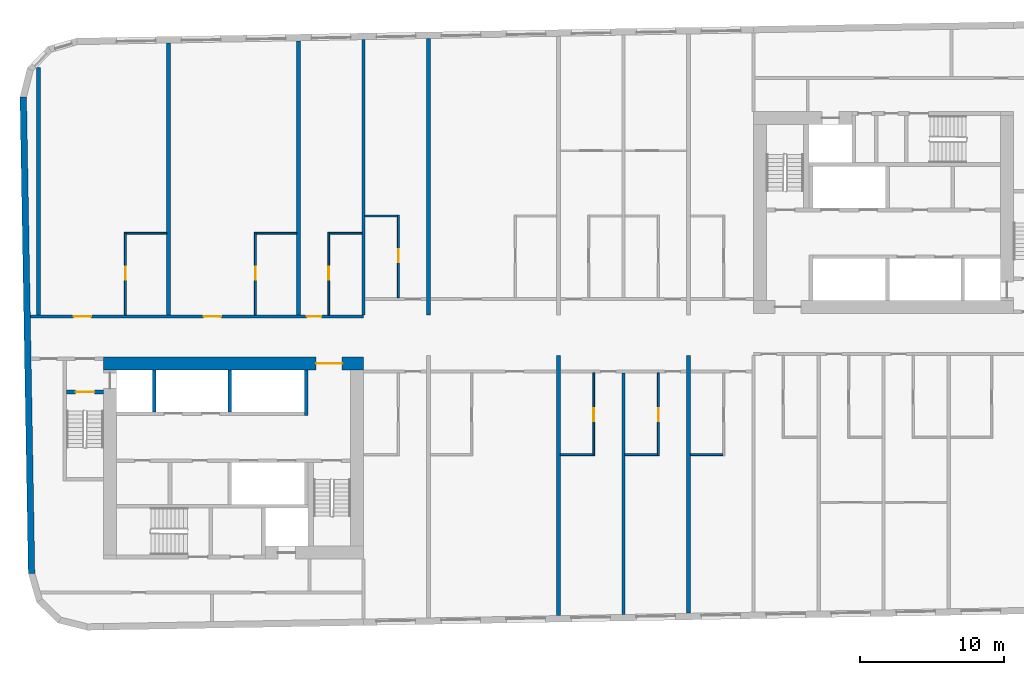
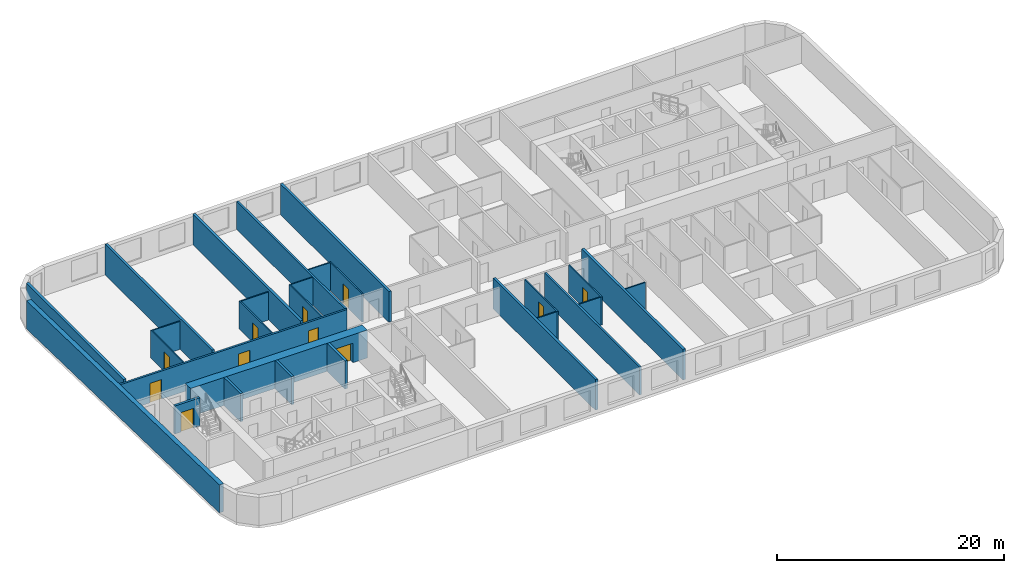
# One storey, part 3 of 12: 28 walls, 11 doors, 11 openings.
"""IFC4 building model written with IfcOpenShell, lengths in metres."""

from ifc_helpers import new_model, si_unit, direction, frame, frame_2d, origin, place, context, subcontext, project, spatial, rectangle, extrude, material, layer, layer_set, type_object, element, fill, save


model = new_model("IFC4")

# Units and contexts
model_context = context("Model", 3, precision=1e-05, world=origin(), true_north=direction((0.0, 1.0)))
body_context = subcontext(model_context, "Body", "Model", "MODEL_VIEW")
ifc_project = project(units=[si_unit("LENGTHUNIT", "METRE"), si_unit("AREAUNIT", "SQUARE_METRE"), si_unit("VOLUMEUNIT", "CUBIC_METRE"), si_unit("PLANEANGLEUNIT", "RADIAN"), si_unit("MASSUNIT", "GRAM", prefix="KILO")], contexts=[model_context])

# Site, building, storey
site_placement = place(None, origin())
site = spatial("IfcSite", under=ifc_project, at=site_placement, CompositionType="ELEMENT")
building_placement = place(site_placement, origin())
building = spatial("IfcBuilding", under=site, at=building_placement, Name="Kajstack Hotel Tower", CompositionType="ELEMENT")
storey_placement = place(building_placement, frame((0.0, 0.0, 234.199951171875)))
storey = spatial("IfcBuildingStorey", under=building, at=storey_placement, Name="L57", CompositionType="ELEMENT", Elevation=234.199951171875)

# Wall, opening, door
ifc_material_1 = material(Name="Concrete C60/75", Category="concrete")
ifc_layer_1 = layer(ifc_material_1, 0.89990234375)
ifc_layer_set_1 = layer_set([ifc_layer_1], Name="Core wall 900")
wall_type_1 = type_object("IfcWallType", Name="Core wall 900", PredefinedType="SHEAR", material=ifc_layer_set_1)
wall_1_placement = place(storey_placement, frame((-31.5, -1.949951171875, 0.0), z_axis=(0.0, 0.0, 1.0), x_axis=(1.0, 0.0, 0.0)))
wall_1 = element("IfcWall", 1, at=wall_1_placement, inside=storey, type_object=wall_type_1, Name="Core wall W RN", PredefinedType="SHEAR", context=body_context, shape_type="SweptSolid", body=[
    extrude(rectangle(XDim=18.0, YDim=0.89990234375, at=frame_2d((9.0, 0.0))), origin(), (0.0, 0.0, 1.0), 3.02001953125),
])
opening_1_placement = place(wall_1_placement, frame((14.72509765625, 0.0, 0.0)))
opening_1 = element("IfcOpeningElement", 2, at=opening_1_placement, cuts=wall_1, Name="Opening 57W07", PredefinedType="OPENING", context=body_context, shape_type="SweptSolid", body=[
    extrude(rectangle(XDim=1.800048828125, YDim=2.10009765625, at=frame_2d((0.89990234375, 1.050048828125))), frame((0.0, 0.4599609375, 0.0), z_axis=(0.0, -1.0, 0.0), x_axis=(1.0, 0.0, 0.0)), (0.0, 0.0, 1.0), 0.919921875),
])
ifc_material_2 = material(Name="Glazed steel frame, fire-rated glass", Category="steel")
door_type_1 = type_object("IfcDoorType", Name="Lobby double door 1800", OperationType="DOUBLE_DOOR_DOUBLE_SWING", PredefinedType="DOOR", material=ifc_material_2)
door_1_placement = place(opening_1_placement, origin())
door_1 = element("IfcDoor", 3, at=door_1_placement, inside=storey, type_object=door_type_1, Name="Door 57W07", OperationType="DOUBLE_DOOR_DOUBLE_SWING", OverallHeight=2.10009765625, OverallWidth=1.800048828125, PredefinedType="DOOR", context=body_context, shape_type="SweptSolid", body=[
    extrude(rectangle(XDim=1.800048828125, YDim=2.10009765625, at=frame_2d((0.89990234375, 1.050048828125))), frame((0.0, 0.02490234375, 0.0), z_axis=(0.0, -1.0, 0.0), x_axis=(1.0, 0.0, 0.0)), (0.0, 0.0, 1.0), 0.050048828125),
])
fill(opening_1, door_1)

# Wall, openings, doors
ifc_material_3 = material(Name="Gypsum board on steel studs, mineral wool", Category="steel")
ifc_layer_2 = layer(ifc_material_3, 0.199951171875)
ifc_layer_set_2 = layer_set([ifc_layer_2], Name="Corridor wall 200")
wall_type_2 = type_object("IfcWallType", Name="Corridor wall 200", PredefinedType="PARTITIONING", material=ifc_layer_set_2)
wall_2_placement = place(storey_placement, frame((-36.56591796875, 1.300048828125, 0.0), z_axis=(0.0, 0.0, 1.0), x_axis=(1.0, 0.0, 0.0)))
wall_2 = element("IfcWall", 4, at=wall_2_placement, inside=storey, type_object=wall_type_2, Name="G-wall-L57-003", PredefinedType="PARTITIONING", context=body_context, shape_type="SweptSolid", body=[
    extrude(rectangle(XDim=23.06591796875, YDim=0.199951171875, at=frame_2d((11.532958984375, 0.0))), origin(), (0.0, 0.0, 1.0), 3.02001953125),
])
opening_2_placement = place(wall_2_placement, frame((3.00390625, 0.0, 0.0)))
opening_2 = element("IfcOpeningElement", 5, at=opening_2_placement, cuts=wall_2, Name="Opening 57001", PredefinedType="OPENING", context=body_context, shape_type="SweptSolid", body=[
    extrude(rectangle(XDim=1.199951171875, YDim=2.10009765625, at=frame_2d((0.60009765625, 1.050048828125))), frame((0.0, 0.10986328125, 0.0), z_axis=(0.0, -1.0, 0.0), x_axis=(1.0, 0.0, 0.0)), (0.0, 0.0, 1.0), 0.219970703125),
])
opening_3_placement = place(wall_2_placement, frame((12.00390625, 0.0, 0.0)))
opening_3 = element("IfcOpeningElement", 6, at=opening_3_placement, cuts=wall_2, Name="Opening 57003", PredefinedType="OPENING", context=body_context, shape_type="SweptSolid", body=[
    extrude(rectangle(XDim=1.199951171875, YDim=2.10009765625, at=frame_2d((0.60009765625, 1.050048828125))), frame((0.0, 0.10986328125, 0.0), z_axis=(0.0, -1.0, 0.0), x_axis=(1.0, 0.0, 0.0)), (0.0, 0.0, 1.0), 0.219970703125),
])
opening_4_placement = place(wall_2_placement, frame((19.14111328125, 0.0, 0.0)))
opening_4 = element("IfcOpeningElement", 7, at=opening_4_placement, cuts=wall_2, Name="Opening 57005", PredefinedType="OPENING", context=body_context, shape_type="SweptSolid", body=[
    extrude(rectangle(XDim=1.0, YDim=2.10009765625, at=frame_2d((0.5, 1.050048828125))), frame((0.0, 0.10986328125, 0.0), z_axis=(0.0, -1.0, 0.0), x_axis=(1.0, 0.0, 0.0)), (0.0, 0.0, 1.0), 0.219970703125),
])
ifc_material_4 = material(Name="Oak veneer on timber core, fire-rated leaf", Category="wood")
door_type_2 = type_object("IfcDoorType", Name="Flat entrance door 1000", OperationType="SINGLE_SWING_LEFT", PredefinedType="DOOR", material=ifc_material_4)
door_2_placement = place(opening_4_placement, origin())
door_2 = element("IfcDoor", 8, at=door_2_placement, inside=storey, type_object=door_type_2, Name="G-door-L57-05", OperationType="SINGLE_SWING_RIGHT", OverallHeight=2.10009765625, OverallWidth=1.0, PredefinedType="DOOR", context=body_context, shape_type="SweptSolid", body=[
    extrude(rectangle(XDim=1.0, YDim=2.10009765625, at=frame_2d((0.5, 1.050048828125))), frame((0.0, 0.02490234375, 0.0), z_axis=(0.0, -1.0, 0.0), x_axis=(1.0, 0.0, 0.0)), (0.0, 0.0, 1.0), 0.050048828125),
])
fill(opening_4, door_2)
door_type_3 = type_object("IfcDoorType", Name="Flat entrance door 1200", OperationType="SINGLE_SWING_LEFT", PredefinedType="DOOR", material=ifc_material_4)
door_3_placement = place(opening_2_placement, origin())
door_3 = element("IfcDoor", 9, at=door_3_placement, inside=storey, type_object=door_type_3, Name="G-door-L57-01", OperationType="SINGLE_SWING_RIGHT", OverallHeight=2.10009765625, OverallWidth=1.199951171875, PredefinedType="DOOR", context=body_context, shape_type="SweptSolid", body=[
    extrude(rectangle(XDim=1.199951171875, YDim=2.10009765625, at=frame_2d((0.60009765625, 1.050048828125))), frame((0.0, 0.02490234375, 0.0), z_axis=(0.0, -1.0, 0.0), x_axis=(1.0, 0.0, 0.0)), (0.0, 0.0, 1.0), 0.050048828125),
])
fill(opening_2, door_3)
door_4_placement = place(opening_3_placement, origin())
door_4 = element("IfcDoor", 10, at=door_4_placement, inside=storey, type_object=door_type_3, Name="G-door-L57-03", OperationType="SINGLE_SWING_LEFT", OverallHeight=2.10009765625, OverallWidth=1.199951171875, PredefinedType="DOOR", context=body_context, shape_type="SweptSolid", body=[
    extrude(rectangle(XDim=1.199951171875, YDim=2.10009765625, at=frame_2d((0.60009765625, 1.050048828125))), frame((0.0, 0.02490234375, 0.0), z_axis=(0.0, -1.0, 0.0), x_axis=(1.0, 0.0, 0.0)), (0.0, 0.0, 1.0), 0.050048828125),
])
fill(opening_3, door_4)

# Walls
ifc_material_5 = material(Name="Twin-frame gypsum board on steel studs, mineral wool", Category="steel")
ifc_layer_3 = layer(ifc_material_5, 0.199951171875)
ifc_layer_set_3 = layer_set([ifc_layer_3], Name="Demising wall 200")
wall_type_3 = type_object("IfcWallType", Name="Demising wall 200", PredefinedType="PARTITIONING", material=ifc_layer_set_3)
wall_3_placement = place(storey_placement, frame((-13.5, 1.39990234375, 0.0), z_axis=(0.0, 0.0, 1.0), x_axis=(0.0, 1.0, 0.0)))
element("IfcWall", 11, at=wall_3_placement, inside=storey, type_object=wall_type_3, Name="G-wall-L57-009", PredefinedType="PARTITIONING", context=body_context, shape_type="SweptSolid", body=[
    extrude(rectangle(XDim=19.065185546875, YDim=0.199951171875, at=frame_2d((9.53271484375, 0.0))), origin(), (0.0, 0.0, 1.0), 3.02001953125),
])
wall_4_placement = place(storey_placement, frame((4.5, -19.326904296875, 0.0), z_axis=(0.0, 0.0, 1.0), x_axis=(0.0, 1.0, 0.0)))
element("IfcWall", 12, at=wall_4_placement, inside=storey, type_object=wall_type_3, Name="G-wall-L57-031", PredefinedType="PARTITIONING", context=body_context, shape_type="SweptSolid", body=[
    extrude(rectangle(XDim=16.726806640625, YDim=0.199951171875, at=frame_2d((8.36328125, 0.0))), origin(), (0.0, 0.0, 1.0), 3.02001953125),
])
ifc_material_6 = material(Name="Terracotta-faced brick masonry", Category="masonry")
ifc_layer_4 = layer(ifc_material_6, 0.449951171875)
ifc_layer_set_4 = layer_set([ifc_layer_4], Name="EW-TERRA")
wall_type_4 = type_object("IfcWallType", Name="EW-TERRA", PredefinedType="SOLIDWALL", material=ifc_layer_set_4)
wall_5_placement = place(storey_placement, frame((-37.056884765625, 16.50341796875, 0.0), z_axis=(0.0, 0.0, 1.0), x_axis=(0.017452279857, -0.999847697366, 0.0)))
element("IfcWall", 13, at=wall_5_placement, inside=storey, type_object=wall_type_4, Name="E-wall-L57-00-00", PredefinedType="SOLIDWALL", context=body_context, shape_type="SweptSolid", body=[
    extrude(rectangle(XDim=33.000244140625, YDim=0.449951171875, at=frame_2d((16.5, 0.0))), origin(), (0.0, 0.0, 1.0), 3.02001953125),
])

# Wall, opening, door
ifc_material_7 = material(Name="Gypsum board and tiled backer on steel studs", Category="steel")
ifc_layer_5 = layer(ifc_material_7, 0.125)
ifc_layer_set_5 = layer_set([ifc_layer_5], Name="En-suite wall 125")
wall_type_5 = type_object("IfcWallType", Name="En-suite wall 125", PredefinedType="PARTITIONING", material=ifc_layer_set_5)
wall_6_placement = place(storey_placement, frame((-29.988037109375, 1.39990234375, 0.0), z_axis=(0.0, 0.0, 1.0), x_axis=(0.0, 1.0, 0.0)))
wall_6 = element("IfcWall", 14, at=wall_6_placement, inside=storey, type_object=wall_type_5, Name="G-wall-L57-005", PredefinedType="PARTITIONING", context=body_context, shape_type="SweptSolid", body=[
    extrude(rectangle(XDim=5.72509765625, YDim=0.125, at=frame_2d((2.862548828125, 0.0))), origin(), (0.0, 0.0, 1.0), 3.02001953125),
])
opening_5_placement = place(wall_6_placement, frame((2.449951171875, 0.0, 0.0)))
opening_5 = element("IfcOpeningElement", 15, at=opening_5_placement, cuts=wall_6, Name="Opening 57002", PredefinedType="OPENING", context=body_context, shape_type="SweptSolid", body=[
    extrude(rectangle(XDim=0.89990234375, YDim=2.10009765625, at=frame_2d((0.449951171875, 1.050048828125))), frame((0.0, 0.072509765625, 0.0), z_axis=(0.0, -1.0, 0.0), x_axis=(1.0, 0.0, 0.0)), (0.0, 0.0, 1.0), 0.14501953125),
])
ifc_material_8 = material(Name="Painted timber door leaf", Category="wood")
door_type_4 = type_object("IfcDoorType", Name="Room door 900", OperationType="SINGLE_SWING_LEFT", PredefinedType="DOOR", material=ifc_material_8)
door_5_placement = place(opening_5_placement, origin())
door_5 = element("IfcDoor", 16, at=door_5_placement, inside=storey, type_object=door_type_4, Name="G-door-L57-02", OperationType="SINGLE_SWING_RIGHT", OverallHeight=2.10009765625, OverallWidth=0.89990234375, PredefinedType="DOOR", context=body_context, shape_type="SweptSolid", body=[
    extrude(rectangle(XDim=0.89990234375, YDim=2.10009765625, at=frame_2d((0.449951171875, 1.050048828125))), frame((0.0, 0.02490234375, 0.0), z_axis=(0.0, -1.0, 0.0), x_axis=(1.0, 0.0, 0.0)), (0.0, 0.0, 1.0), 0.050048828125),
])
fill(opening_5, door_5)

# Wall
wall_7_placement = place(storey_placement, frame((-29.925048828125, 7.06201171875, 0.0), z_axis=(0.0, 0.0, 1.0), x_axis=(1.0, 0.0, 0.0)))
element("IfcWall", 17, at=wall_7_placement, inside=storey, type_object=wall_type_5, Name="G-wall-L57-006", PredefinedType="PARTITIONING", context=body_context, shape_type="SweptSolid", body=[
    extrude(rectangle(XDim=2.800048828125, YDim=0.125, at=frame_2d((1.39990234375, 0.0))), origin(), (0.0, 0.0, 1.0), 3.02001953125),
])

# Wall, opening, door
wall_8_placement = place(storey_placement, frame((-20.988037109375, 1.39990234375, 0.0), z_axis=(0.0, 0.0, 1.0), x_axis=(0.0, 1.0, 0.0)))
wall_8 = element("IfcWall", 18, at=wall_8_placement, inside=storey, type_object=wall_type_5, Name="G-wall-L57-007", PredefinedType="PARTITIONING", context=body_context, shape_type="SweptSolid", body=[
    extrude(rectangle(XDim=5.72509765625, YDim=0.125, at=frame_2d((2.862548828125, 0.0))), origin(), (0.0, 0.0, 1.0), 3.02001953125),
])
opening_6_placement = place(wall_8_placement, frame((2.449951171875, 0.0, 0.0)))
opening_6 = element("IfcOpeningElement", 19, at=opening_6_placement, cuts=wall_8, Name="Opening 57004", PredefinedType="OPENING", context=body_context, shape_type="SweptSolid", body=[
    extrude(rectangle(XDim=0.89990234375, YDim=2.10009765625, at=frame_2d((0.449951171875, 1.050048828125))), frame((0.0, 0.072509765625, 0.0), z_axis=(0.0, -1.0, 0.0), x_axis=(1.0, 0.0, 0.0)), (0.0, 0.0, 1.0), 0.14501953125),
])
door_6_placement = place(opening_6_placement, origin())
door_6 = element("IfcDoor", 20, at=door_6_placement, inside=storey, type_object=door_type_4, Name="G-door-L57-04", OperationType="SINGLE_SWING_RIGHT", OverallHeight=2.10009765625, OverallWidth=0.89990234375, PredefinedType="DOOR", context=body_context, shape_type="SweptSolid", body=[
    extrude(rectangle(XDim=0.89990234375, YDim=2.10009765625, at=frame_2d((0.449951171875, 1.050048828125))), frame((0.0, 0.02490234375, 0.0), z_axis=(0.0, -1.0, 0.0), x_axis=(1.0, 0.0, 0.0)), (0.0, 0.0, 1.0), 0.050048828125),
])
fill(opening_6, door_6)

# Wall
wall_9_placement = place(storey_placement, frame((-20.925048828125, 7.06201171875, 0.0), z_axis=(0.0, 0.0, 1.0), x_axis=(1.0, 0.0, 0.0)))
element("IfcWall", 21, at=wall_9_placement, inside=storey, type_object=wall_type_5, Name="G-wall-L57-008", PredefinedType="PARTITIONING", context=body_context, shape_type="SweptSolid", body=[
    extrude(rectangle(XDim=2.800048828125, YDim=0.125, at=frame_2d((1.39990234375, 0.0))), origin(), (0.0, 0.0, 1.0), 3.02001953125),
])

# Wall, opening, door
wall_10_placement = place(storey_placement, frame((-15.912109375, 1.39990234375, 0.0), z_axis=(0.0, 0.0, 1.0), x_axis=(0.0, 1.0, 0.0)))
wall_10 = element("IfcWall", 22, at=wall_10_placement, inside=storey, type_object=wall_type_5, Name="G-wall-L57-010", PredefinedType="PARTITIONING", context=body_context, shape_type="SweptSolid", body=[
    extrude(rectangle(XDim=5.72509765625, YDim=0.125, at=frame_2d((2.862548828125, 0.0))), origin(), (0.0, 0.0, 1.0), 3.02001953125),
])
opening_7_placement = place(wall_10_placement, frame((2.449951171875, 0.0, 0.0)))
opening_7 = element("IfcOpeningElement", 23, at=opening_7_placement, cuts=wall_10, Name="Opening 57006", PredefinedType="OPENING", context=body_context, shape_type="SweptSolid", body=[
    extrude(rectangle(XDim=0.89990234375, YDim=2.10009765625, at=frame_2d((0.449951171875, 1.050048828125))), frame((0.0, 0.072509765625, 0.0), z_axis=(0.0, -1.0, 0.0), x_axis=(1.0, 0.0, 0.0)), (0.0, 0.0, 1.0), 0.14501953125),
])
door_7_placement = place(opening_7_placement, origin())
door_7 = element("IfcDoor", 24, at=door_7_placement, inside=storey, type_object=door_type_4, Name="G-door-L57-06", OperationType="SINGLE_SWING_LEFT", OverallHeight=2.10009765625, OverallWidth=0.89990234375, PredefinedType="DOOR", context=body_context, shape_type="SweptSolid", body=[
    extrude(rectangle(XDim=0.89990234375, YDim=2.10009765625, at=frame_2d((0.449951171875, 1.050048828125))), frame((0.0, 0.02490234375, 0.0), z_axis=(0.0, -1.0, 0.0), x_axis=(1.0, 0.0, 0.0)), (0.0, 0.0, 1.0), 0.050048828125),
])
fill(opening_7, door_7)

# Wall
wall_11_placement = place(storey_placement, frame((-15.85009765625, 7.06201171875, 0.0), z_axis=(0.0, 0.0, 1.0), x_axis=(1.0, 0.0, 0.0)))
element("IfcWall", 25, at=wall_11_placement, inside=storey, type_object=wall_type_5, Name="G-wall-L57-011", PredefinedType="PARTITIONING", context=body_context, shape_type="SweptSolid", body=[
    extrude(rectangle(XDim=2.25, YDim=0.125, at=frame_2d((1.125, 0.0))), origin(), (0.0, 0.0, 1.0), 3.02001953125),
])

# Wall, opening, door
wall_12_placement = place(storey_placement, frame((-11.087890625, 2.60009765625, 0.0), z_axis=(0.0, 0.0, 1.0), x_axis=(0.0, 1.0, 0.0)))
wall_12 = element("IfcWall", 26, at=wall_12_placement, inside=storey, type_object=wall_type_5, Name="G-wall-L57-012", PredefinedType="PARTITIONING", context=body_context, shape_type="SweptSolid", body=[
    extrude(rectangle(XDim=5.724853515625, YDim=0.125, at=frame_2d((2.8623046875, 0.0))), origin(), (0.0, 0.0, 1.0), 3.02001953125),
])
opening_8_placement = place(wall_12_placement, frame((2.449951171875, 0.0, 0.0)))
opening_8 = element("IfcOpeningElement", 27, at=opening_8_placement, cuts=wall_12, Name="Opening 57008", PredefinedType="OPENING", context=body_context, shape_type="SweptSolid", body=[
    extrude(rectangle(XDim=0.89990234375, YDim=2.10009765625, at=frame_2d((0.449951171875, 1.050048828125))), frame((0.0, 0.072509765625, 0.0), z_axis=(0.0, -1.0, 0.0), x_axis=(1.0, 0.0, 0.0)), (0.0, 0.0, 1.0), 0.14501953125),
])
door_8_placement = place(opening_8_placement, origin())
door_8 = element("IfcDoor", 28, at=door_8_placement, inside=storey, type_object=door_type_4, Name="G-door-L57-08", OperationType="SINGLE_SWING_LEFT", OverallHeight=2.10009765625, OverallWidth=0.89990234375, PredefinedType="DOOR", context=body_context, shape_type="SweptSolid", body=[
    extrude(rectangle(XDim=0.89990234375, YDim=2.10009765625, at=frame_2d((0.449951171875, 1.050048828125))), frame((0.0, 0.02490234375, 0.0), z_axis=(0.0, -1.0, 0.0), x_axis=(1.0, 0.0, 0.0)), (0.0, 0.0, 1.0), 0.050048828125),
])
fill(opening_8, door_8)

# Wall
wall_13_placement = place(storey_placement, frame((-13.39990234375, 8.261962890625, 0.0), z_axis=(0.0, 0.0, 1.0), x_axis=(1.0, 0.0, 0.0)))
element("IfcWall", 29, at=wall_13_placement, inside=storey, type_object=wall_type_5, Name="G-wall-L57-013", PredefinedType="PARTITIONING", context=body_context, shape_type="SweptSolid", body=[
    extrude(rectangle(XDim=2.25, YDim=0.125, at=frame_2d((1.125, 0.0))), origin(), (0.0, 0.0, 1.0), 3.02001953125),
])

# Wall, opening, door
wall_14_placement = place(storey_placement, frame((2.43798828125, -8.324951171875, 0.0), z_axis=(0.0, 0.0, 1.0), x_axis=(0.0, 1.0, 0.0)))
wall_14 = element("IfcWall", 30, at=wall_14_placement, inside=storey, type_object=wall_type_5, Name="G-wall-L57-032", PredefinedType="PARTITIONING", context=body_context, shape_type="SweptSolid", body=[
    extrude(rectangle(XDim=5.724853515625, YDim=0.125, at=frame_2d((2.8623046875, 0.0))), origin(), (0.0, 0.0, 1.0), 3.02001953125),
])
opening_9_placement = place(wall_14_placement, frame((2.375, 0.0, 0.0)))
opening_9 = element("IfcOpeningElement", 31, at=opening_9_placement, cuts=wall_14, Name="Opening 57024", PredefinedType="OPENING", context=body_context, shape_type="SweptSolid", body=[
    extrude(rectangle(XDim=0.89990234375, YDim=2.10009765625, at=frame_2d((0.449951171875, 1.050048828125))), frame((0.0, 0.072509765625, 0.0), z_axis=(0.0, -1.0, 0.0), x_axis=(1.0, 0.0, 0.0)), (0.0, 0.0, 1.0), 0.14501953125),
])
door_9_placement = place(opening_9_placement, origin())
door_9 = element("IfcDoor", 32, at=door_9_placement, inside=storey, type_object=door_type_4, Name="G-door-L57-24", OperationType="SINGLE_SWING_LEFT", OverallHeight=2.10009765625, OverallWidth=0.89990234375, PredefinedType="DOOR", context=body_context, shape_type="SweptSolid", body=[
    extrude(rectangle(XDim=0.89990234375, YDim=2.10009765625, at=frame_2d((0.449951171875, 1.050048828125))), frame((0.0, 0.02490234375, 0.0), z_axis=(0.0, -1.0, 0.0), x_axis=(1.0, 0.0, 0.0)), (0.0, 0.0, 1.0), 0.050048828125),
])
fill(opening_9, door_9)

# Wall
wall_15_placement = place(storey_placement, frame((0.125, -8.261962890625, 0.0), z_axis=(0.0, 0.0, 1.0), x_axis=(1.0, 0.0, 0.0)))
element("IfcWall", 33, at=wall_15_placement, inside=storey, type_object=wall_type_5, Name="G-wall-L57-033", PredefinedType="PARTITIONING", context=body_context, shape_type="SweptSolid", body=[
    extrude(rectangle(XDim=2.25, YDim=0.125, at=frame_2d((1.125, 0.0))), origin(), (0.0, 0.0, 1.0), 3.02001953125),
])

# Wall, opening, door
wall_16_placement = place(storey_placement, frame((6.912109375, -8.324951171875, 0.0), z_axis=(0.0, 0.0, 1.0), x_axis=(0.0, 1.0, 0.0)))
wall_16 = element("IfcWall", 34, at=wall_16_placement, inside=storey, type_object=wall_type_5, Name="G-wall-L57-034", PredefinedType="PARTITIONING", context=body_context, shape_type="SweptSolid", body=[
    extrude(rectangle(XDim=5.724853515625, YDim=0.125, at=frame_2d((2.8623046875, 0.0))), origin(), (0.0, 0.0, 1.0), 3.02001953125),
])
opening_10_placement = place(wall_16_placement, frame((2.375, 0.0, 0.0)))
opening_10 = element("IfcOpeningElement", 35, at=opening_10_placement, cuts=wall_16, Name="Opening 57026", PredefinedType="OPENING", context=body_context, shape_type="SweptSolid", body=[
    extrude(rectangle(XDim=0.89990234375, YDim=2.10009765625, at=frame_2d((0.449951171875, 1.050048828125))), frame((0.0, 0.072509765625, 0.0), z_axis=(0.0, -1.0, 0.0), x_axis=(1.0, 0.0, 0.0)), (0.0, 0.0, 1.0), 0.14501953125),
])
door_10_placement = place(opening_10_placement, origin())
door_10 = element("IfcDoor", 36, at=door_10_placement, inside=storey, type_object=door_type_4, Name="G-door-L57-26", OperationType="SINGLE_SWING_LEFT", OverallHeight=2.10009765625, OverallWidth=0.89990234375, PredefinedType="DOOR", context=body_context, shape_type="SweptSolid", body=[
    extrude(rectangle(XDim=0.89990234375, YDim=2.10009765625, at=frame_2d((0.449951171875, 1.050048828125))), frame((0.0, 0.02490234375, 0.0), z_axis=(0.0, -1.0, 0.0), x_axis=(1.0, 0.0, 0.0)), (0.0, 0.0, 1.0), 0.050048828125),
])
fill(opening_10, door_10)

# Walls
for number, where, z_axis, x_axis, name in (
    (37, (4.60009765625, -8.261962890625, 0.0), (0.0, 0.0, 1.0), (1.0, 0.0, 0.0), "G-wall-L57-035"),
    (38, (9.125, -8.261962890625, 0.0), (0.0, 0.0, 1.0), (1.0, 0.0, 0.0), "G-wall-L57-038"),
):
    element("IfcWall", number, at=place(storey_placement, frame(where, z_axis=z_axis, x_axis=x_axis)), inside=storey, type_object=wall_type_5, Name=name, PredefinedType="PARTITIONING", context=body_context, shape_type="SweptSolid", body=[
        extrude(rectangle(XDim=2.25, YDim=0.125, at=frame_2d((1.125, 0.0))), origin(), (0.0, 0.0, 1.0), 3.02001953125),
    ])
ifc_material_9 = material(Name="Concrete C50/60", Category="concrete")
ifc_layer_6 = layer(ifc_material_9, 0.300048828125)
ifc_layer_set_6 = layer_set([ifc_layer_6], Name="Hoistway divider wall 300")
wall_type_6 = type_object("IfcWallType", Name="Hoistway divider wall 300", PredefinedType="SHEAR", material=ifc_layer_set_6)
wall_17_placement = place(storey_placement, frame((-22.77490234375, -5.300048828125, 0.0), z_axis=(0.0, 0.0, 1.0), x_axis=(0.0, 1.0, 0.0)))
element("IfcWall", 39, at=wall_17_placement, inside=storey, type_object=wall_type_6, Name="Core wall W AP2", PredefinedType="SHEAR", context=body_context, shape_type="SweptSolid", body=[
    extrude(rectangle(XDim=2.900146484375, YDim=0.25, at=frame_2d((1.4501953125, 0.0))), origin(), (0.0, 0.0, 1.0), 3.02001953125),
])
ifc_material_10 = material(Name="Concrete C45/55", Category="concrete")
ifc_layer_7 = layer(ifc_material_10, 0.25)
ifc_layer_set_7 = layer_set([ifc_layer_7], Name="RC cross wall 250 C45/55")
wall_type_7 = type_object("IfcWallType", Name="RC cross wall 250 C45/55", PredefinedType="SHEAR", material=ifc_layer_set_7)
wall_18_placement = place(storey_placement, frame((-36.0, 1.39990234375, 0.0), z_axis=(0.0, 0.0, 1.0), x_axis=(0.0, 1.0, 0.0)))
element("IfcWall", 40, at=wall_18_placement, inside=storey, type_object=wall_type_7, Name="S-wall-L57-01", PredefinedType="SHEAR", context=body_context, shape_type="SweptSolid", body=[
    extrude(rectangle(XDim=17.12548828125, YDim=0.25, at=frame_2d((8.562744140625, 0.0))), origin(), (0.0, 0.0, 1.0), 3.300048828125),
])
wall_19_placement = place(storey_placement, frame((-27.0, 1.39990234375, 0.0), z_axis=(0.0, 0.0, 1.0), x_axis=(0.0, 1.0, 0.0)))
element("IfcWall", 41, at=wall_19_placement, inside=storey, type_object=wall_type_7, Name="S-wall-L57-02", PredefinedType="SHEAR", context=body_context, shape_type="SweptSolid", body=[
    extrude(rectangle(XDim=18.8173828125, YDim=0.25, at=frame_2d((9.40869140625, 0.0))), origin(), (0.0, 0.0, 1.0), 3.300048828125),
])
wall_20_placement = place(storey_placement, frame((-18.0, 1.39990234375, 0.0), z_axis=(0.0, 0.0, 1.0), x_axis=(0.0, 1.0, 0.0)))
element("IfcWall", 42, at=wall_20_placement, inside=storey, type_object=wall_type_7, Name="S-wall-L57-03", PredefinedType="SHEAR", context=body_context, shape_type="SweptSolid", body=[
    extrude(rectangle(XDim=18.974365234375, YDim=0.25, at=frame_2d((9.4873046875, 0.0))), origin(), (0.0, 0.0, 1.0), 3.300048828125),
])
wall_21_placement = place(storey_placement, frame((-9.0, 1.39990234375, 0.0), z_axis=(0.0, 0.0, 1.0), x_axis=(0.0, 1.0, 0.0)))
element("IfcWall", 43, at=wall_21_placement, inside=storey, type_object=wall_type_7, Name="S-wall-L57-05", PredefinedType="SHEAR", context=body_context, shape_type="SweptSolid", body=[
    extrude(rectangle(XDim=19.131591796875, YDim=0.25, at=frame_2d((9.56591796875, 0.0))), origin(), (0.0, 0.0, 1.0), 3.300048828125),
])
wall_22_placement = place(storey_placement, frame((0.0, -19.393310546875, 0.0), z_axis=(0.0, 0.0, 1.0), x_axis=(0.0, 1.0, 0.0)))
element("IfcWall", 44, at=wall_22_placement, inside=storey, type_object=wall_type_7, Name="S-wall-L57-06", PredefinedType="SHEAR", context=body_context, shape_type="SweptSolid", body=[
    extrude(rectangle(XDim=17.993408203125, YDim=0.25, at=frame_2d((8.99658203125, 0.0))), origin(), (0.0, 0.0, 1.0), 3.300048828125),
])
wall_23_placement = place(storey_placement, frame((9.0, -19.236083984375, 0.0), z_axis=(0.0, 0.0, 1.0), x_axis=(0.0, 1.0, 0.0)))
element("IfcWall", 45, at=wall_23_placement, inside=storey, type_object=wall_type_7, Name="S-wall-L57-08", PredefinedType="SHEAR", context=body_context, shape_type="SweptSolid", body=[
    extrude(rectangle(XDim=17.836181640625, YDim=0.25, at=frame_2d((8.91796875, 0.0))), origin(), (0.0, 0.0, 1.0), 3.300048828125),
])
ifc_layer_8 = layer(ifc_material_9, 0.25)
ifc_layer_set_8 = layer_set([ifc_layer_8], Name="Shaft wall 250")
wall_type_8 = type_object("IfcWallType", Name="Shaft wall 250", PredefinedType="SHEAR", material=ifc_layer_set_8)
wall_24_placement = place(storey_placement, frame((-17.47509765625, -5.550048828125, 0.0), z_axis=(0.0, 0.0, 1.0), x_axis=(0.0, 1.0, 0.0)))
element("IfcWall", 46, at=wall_24_placement, inside=storey, type_object=wall_type_8, Name="Core wall W AE", PredefinedType="SHEAR", context=body_context, shape_type="SweptSolid", body=[
    extrude(rectangle(XDim=3.150146484375, YDim=0.25, at=frame_2d((1.5751953125, 0.0))), origin(), (0.0, 0.0, 1.0), 3.02001953125),
])
wall_25_placement = place(storey_placement, frame((-27.97509765625, -5.300048828125, 0.0), z_axis=(0.0, 0.0, 1.0), x_axis=(0.0, 1.0, 0.0)))
element("IfcWall", 47, at=wall_25_placement, inside=storey, type_object=wall_type_8, Name="Core wall W AP0", PredefinedType="SHEAR", context=body_context, shape_type="SweptSolid", body=[
    extrude(rectangle(XDim=2.900146484375, YDim=0.25, at=frame_2d((1.4501953125, 0.0))), origin(), (0.0, 0.0, 1.0), 3.02001953125),
])

# Wall, opening, door
ifc_material_11 = material(Name="Concrete C40/50", Category="concrete")
ifc_layer_9 = layer(ifc_material_11, 0.25)
ifc_layer_set_9 = layer_set([ifc_layer_9], Name="Stair enclosure wall 250")
wall_type_9 = type_object("IfcWallType", Name="Stair enclosure wall 250", PredefinedType="SHEAR", material=ifc_layer_set_9)
wall_26_placement = place(storey_placement, frame((-34.050048828125, -3.925048828125, 0.0), z_axis=(0.0, 0.0, 1.0), x_axis=(1.0, 0.0, 0.0)))
wall_26 = element("IfcWall", 48, at=wall_26_placement, inside=storey, type_object=wall_type_9, Name="Core wall W W1N", PredefinedType="SHEAR", context=body_context, shape_type="SweptSolid", body=[
    extrude(rectangle(XDim=2.550048828125, YDim=0.25, at=frame_2d((1.27490234375, 0.0))), origin(), (0.0, 0.0, 1.0), 3.02001953125),
])
opening_11_placement = place(wall_26_placement, frame((0.625, 0.0, 0.0)))
opening_11 = element("IfcOpeningElement", 49, at=opening_11_placement, cuts=wall_26, Name="Opening 57W09", PredefinedType="OPENING", context=body_context, shape_type="SweptSolid", body=[
    extrude(rectangle(XDim=1.300048828125, YDim=2.10009765625, at=frame_2d((0.64990234375, 1.050048828125))), frame((0.0, 0.135009765625, 0.0), z_axis=(0.0, -1.0, 0.0), x_axis=(1.0, 0.0, 0.0)), (0.0, 0.0, 1.0), 0.27001953125),
])
ifc_material_12 = material(Name="Steel leaf, fire-rated", Category="steel")
door_type_5 = type_object("IfcDoorType", Name="Stair door 1300", OperationType="SINGLE_SWING_LEFT", PredefinedType="DOOR", material=ifc_material_12)
door_11_placement = place(opening_11_placement, origin())
door_11 = element("IfcDoor", 50, at=door_11_placement, inside=storey, type_object=door_type_5, Name="Door 57W09", OperationType="SINGLE_SWING_RIGHT", OverallHeight=2.10009765625, OverallWidth=1.300048828125, PredefinedType="DOOR", context=body_context, shape_type="SweptSolid", body=[
    extrude(rectangle(XDim=1.300048828125, YDim=2.10009765625, at=frame_2d((0.64990234375, 1.050048828125))), frame((0.0, 0.02490234375, 0.0), z_axis=(0.0, -1.0, 0.0), x_axis=(1.0, 0.0, 0.0)), (0.0, 0.0, 1.0), 0.050048828125),
])
fill(opening_11, door_11)

save(model, "model.ifc")
